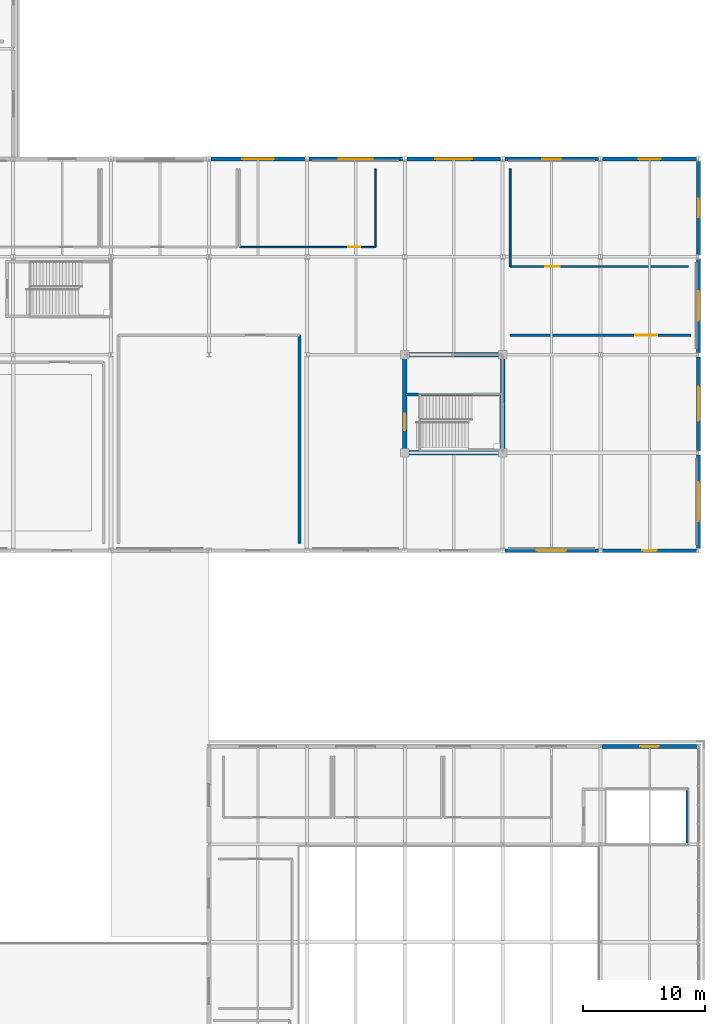
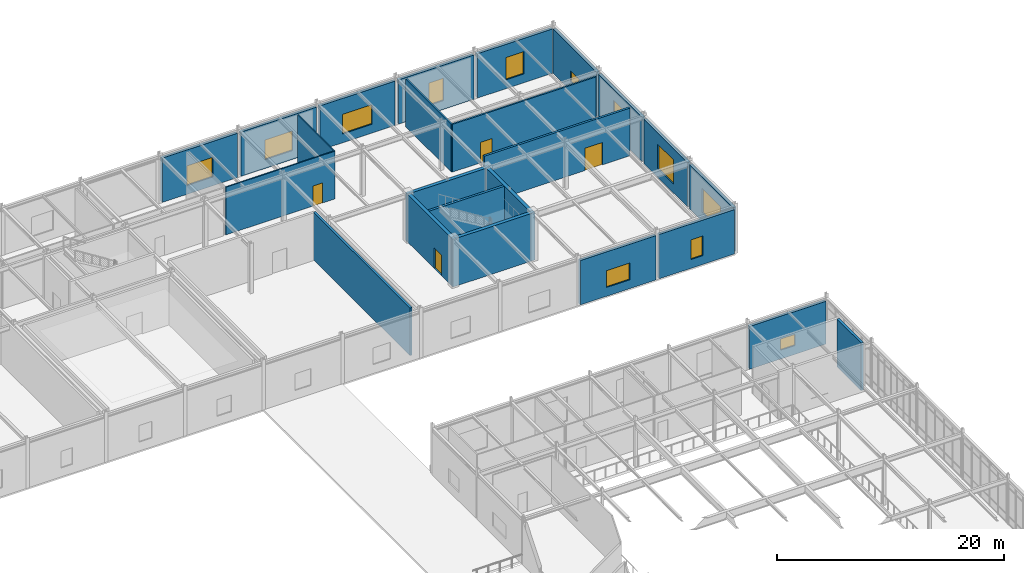
# One storey, part 95 of 108: 24 walls, 12 windows, 4 doors, 16 openings.
"""IFC4 building model written with IfcOpenShell, lengths in metres."""

import ifcopenshell
import ifcopenshell.guid

model = None  # the IFC model being written
_history = None  # IfcOwnerHistory: only IFC2X3 demands one
_inside = {}  # id of a spatial element -> (the spatial element, [elements in it])
_under = {}  # id of a project, library or spatial element -> (it, [spatial elements below it])
_declared = {}  # id of a project -> (the project, [libraries it declares])
_typed = {}  # id of a type object -> (the type object, [elements of that type])
_made_of = {}  # id of a material, layer set ... -> (it, [elements and type objects made of it])


def new_model(schema):
    """Start an empty IFC model of exactly this schema.

    Asked for "IFC4X3", IfcOpenShell would pick the latest addendum, in which some entities
    have other attributes; the version numbers below select the first issue.
    IFC2X3 requires an IfcOwnerHistory on every rooted entity: one is made here for all.
    """
    global model, _history
    if schema == "IFC4X3":
        model = ifcopenshell.file(schema_version=(4, 3, 0, 0))
    else:
        model = ifcopenshell.file(schema=schema)
    _inside.clear()
    _under.clear()
    _declared.clear()
    _typed.clear()
    _made_of.clear()
    _history = None
    if model.schema == "IFC2X3":
        org = make("IfcOrganization", Name="unknown")
        user = make(
            "IfcPersonAndOrganization",
            ThePerson=make("IfcPerson", FamilyName="unknown"),
            TheOrganization=org,
        )
        app = make(
            "IfcApplication",
            ApplicationDeveloper=org,
            Version="unknown",
            ApplicationFullName="unknown",
            ApplicationIdentifier="unknown",
        )
        _history = make(
            "IfcOwnerHistory",
            OwningUser=user,
            OwningApplication=app,
            ChangeAction="ADDED",
            CreationDate=0,
        )
    return model


def make(cls, **values):
    """One entity of the class cls with the attributes given. An attribute that is None is left unset."""
    return model.create_entity(
        cls, **{name: value for name, value in values.items() if value is not None}
    )


def rooted(cls, **values):
    """An entity with a GlobalId (a new one), such as an element, a storey or a relation."""
    return make(cls, GlobalId=ifcopenshell.guid.new(), OwnerHistory=_history, **values)


def si_unit(unit_type, name, prefix=None):
    """IfcSIUnit, for example si_unit("LENGTHUNIT", "METRE", prefix="MILLI")."""
    return make("IfcSIUnit", UnitType=unit_type, Prefix=prefix, Name=name)


def assignment(units):
    """IfcUnitAssignment: the units of a project."""
    return None if units is None else make("IfcUnitAssignment", Units=units)


def point(xyz):
    """IfcCartesianPoint."""
    return None if xyz is None else make("IfcCartesianPoint", Coordinates=xyz)


def direction(xyz):
    """IfcDirection."""
    return None if xyz is None else make("IfcDirection", DirectionRatios=xyz)


def frame(location, z_axis=None, x_axis=None):
    """IfcAxis2Placement3D, a coordinate frame: its origin and axes. An axis left out is left unset."""
    return make(
        "IfcAxis2Placement3D",
        Location=point(location),
        Axis=direction(z_axis),
        RefDirection=direction(x_axis),
    )


def frame_2d(location, x_axis=None):
    """IfcAxis2Placement2D, a coordinate frame in the plane: its origin and x axis."""
    return make(
        "IfcAxis2Placement2D", Location=point(location), RefDirection=direction(x_axis)
    )


def origin():
    """The frame at (0, 0, 0) with its axes left unset."""
    return frame((0.0, 0.0, 0.0))


def place(relative_to, where):
    """IfcLocalPlacement: puts the frame where relative to a parent placement (None: the world)."""
    return make(
        "IfcLocalPlacement", PlacementRelTo=relative_to, RelativePlacement=where
    )


def context(
    kind, dimensions, precision=None, world=None, true_north=None, identifier=None
):
    """IfcGeometricRepresentationContext, for example the 3D "Model" context."""
    return make(
        "IfcGeometricRepresentationContext",
        ContextIdentifier=identifier,
        ContextType=kind,
        CoordinateSpaceDimension=dimensions,
        Precision=precision,
        WorldCoordinateSystem=world,
        TrueNorth=true_north,
    )


def subcontext(parent, identifier, kind, view, scale=None):
    """IfcGeometricRepresentationSubContext, for example "Body" below "Model"."""
    return make(
        "IfcGeometricRepresentationSubContext",
        ContextIdentifier=identifier,
        ContextType=kind,
        ParentContext=parent,
        TargetScale=scale,
        TargetView=view,
    )


def project(units=None, contexts=None):
    """IfcProject with its units and contexts."""
    return rooted(
        "IfcProject",
        Name="project",
        RepresentationContexts=contexts,
        UnitsInContext=assignment(units),
    )


def spatial(cls, under=None, at=None, **own):
    """A site, building, storey or space (cls), placed at a placement, below another one or the project."""
    s = rooted(cls, ObjectPlacement=at, **own)
    if under is not None:
        _under.setdefault(under.id(), (under, []))[1].append(s)
    return s


def profile(cls, at=None, kind="AREA", **sizes):
    """A parametric profile (cls). Its sizes go by their IFC names, for example OverallWidth=200.0."""
    return make(cls, ProfileType=kind, Position=at, **sizes)


def rectangle(**sizes):
    """IfcRectangleProfileDef."""
    return profile("IfcRectangleProfileDef", **sizes)


def extrude(swept, where, along, depth):
    """IfcExtrudedAreaSolid: the profile swept, set in the frame where, extruded along a direction by depth."""
    return make(
        "IfcExtrudedAreaSolid",
        SweptArea=swept,
        Position=where,
        ExtrudedDirection=direction(along),
        Depth=depth,
    )


def shape(context_of_items, identifier, shape_type, items):
    """IfcShapeRepresentation: the items that make up one representation, for example the "Body"."""
    return make(
        "IfcShapeRepresentation",
        ContextOfItems=context_of_items,
        RepresentationIdentifier=identifier,
        RepresentationType=shape_type,
        Items=items,
    )


def material(Name=None, Category=None):
    """IfcMaterial."""
    return make("IfcMaterial", Name=Name, Category=Category)


def layer(
    of_material, thickness, ventilated=None, Name=None, Category=None, Priority=None
):
    """IfcMaterialLayer: one layer of a wall or slab, of a material (None: an air gap)."""
    return make(
        "IfcMaterialLayer",
        Material=of_material,
        LayerThickness=thickness,
        IsVentilated=ventilated,
        Name=Name,
        Category=Category,
        Priority=Priority,
    )


def layer_set(layers, Name=None):
    """IfcMaterialLayerSet."""
    return make("IfcMaterialLayerSet", MaterialLayers=layers, LayerSetName=Name)


def made_of(thing, what):
    """Note that an element or type object is made of a material, layer set ...; save() writes the relation."""
    if what is not None:
        _made_of.setdefault(what.id(), (what, []))[1].append(thing)
    return thing


def type_object(cls, material=None, **own):
    """A type object (cls), such as IfcWallType, which elements share."""
    return made_of(rooted(cls, **own), material)


def element(
    cls,
    number,
    at=None,
    inside=None,
    cuts=None,
    type_object=None,
    material=None,
    context=None,
    identifier="Body",
    shape_type=None,
    held_by="IfcProductDefinitionShape",
    body=None,
    shapes=None,
    **own,
):
    """One element of the class cls, such as IfcWall. Its Tag is "e" and its number.

    at: its placement. inside: the storey or other place that contains it. cuts: it is an
    opening in that element (IfcRelVoidsElement). A single representation is given by context,
    identifier, shape_type and body (its items); several are given by shapes. held_by: the class
    of the entity that holds the representations. save() writes the other relations.
    """
    e = rooted(cls, Tag="e%d" % number, ObjectPlacement=at, **own)
    if body is not None:
        shapes = [shape(context, identifier, shape_type, body)]
    if shapes is not None:
        e.Representation = make(held_by, Representations=shapes)
    if inside is not None:
        _inside.setdefault(inside.id(), (inside, []))[1].append(e)
    if cuts is not None:
        rooted(
            "IfcRelVoidsElement", RelatingBuildingElement=cuts, RelatedOpeningElement=e
        )
    if type_object is not None:
        _typed.setdefault(type_object.id(), (type_object, []))[1].append(e)
    return made_of(e, material)


def fill(opening, filler):
    """IfcRelFillsElement: the door or window that sits in an opening."""
    return rooted(
        "IfcRelFillsElement",
        RelatingOpeningElement=opening,
        RelatedBuildingElement=filler,
    )


def aggregate(whole, parts):
    """IfcRelAggregates: a whole, such as a stair, and the parts it consists of."""
    return rooted("IfcRelAggregates", RelatingObject=whole, RelatedObjects=parts)


def save(model, path):
    """Write the relations noted so far, then the file.

    IfcRelAggregates (storeys below a building ...), IfcRelContainedInSpatialStructure (elements
    in a storey), IfcRelDefinesByType, IfcRelAssociatesMaterial and IfcRelDeclares: one each for
    every whole, place, type object, material and project.
    """
    for whole, parts in _under.values():
        aggregate(whole, parts)
    for where, things in _inside.values():
        rooted(
            "IfcRelContainedInSpatialStructure",
            RelatedElements=things,
            RelatingStructure=where,
        )
    for kind, things in _typed.values():
        rooted("IfcRelDefinesByType", RelatedObjects=things, RelatingType=kind)
    for what, things in _made_of.values():
        rooted("IfcRelAssociatesMaterial", RelatedObjects=things, RelatingMaterial=what)
    for by, libraries in _declared.values():
        rooted("IfcRelDeclares", RelatingContext=by, RelatedDefinitions=libraries)
    model.write(path)


model = new_model("IFC4")

# Units and contexts
model_context = context("Model", 3, precision=1e-05, world=origin(), true_north=direction((0.0, 1.0)))
body_context = subcontext(model_context, "Body", "Model", "MODEL_VIEW")
ifc_project = project(units=[si_unit("LENGTHUNIT", "METRE"), si_unit("AREAUNIT", "SQUARE_METRE"), si_unit("VOLUMEUNIT", "CUBIC_METRE"), si_unit("PLANEANGLEUNIT", "RADIAN"), si_unit("MASSUNIT", "GRAM", prefix="KILO")], contexts=[model_context])

# Site, building, storey
site_placement = place(None, origin())
site = spatial("IfcSite", under=ifc_project, at=site_placement, CompositionType="ELEMENT")
building_placement = place(site_placement, origin())
building = spatial("IfcBuilding", under=site, at=building_placement, Name="Zhaolan Boulevard Law Courts", CompositionType="ELEMENT")
storey_placement = place(building_placement, frame((0.0, 0.0, 10.800048828125)))
storey = spatial("IfcBuildingStorey", under=building, at=storey_placement, Name="L02", CompositionType="ELEMENT", Elevation=10.800048828125)

# Walls
ifc_material_1 = material(Name="Concrete C50", Category="concrete")
ifc_layer_1 = layer(ifc_material_1, 0.35009765625)
ifc_layer_set_1 = layer_set([ifc_layer_1])
wall_type_1 = type_object("IfcWallType", Name="CORE SHEAR WALL 350", PredefinedType="SHEAR", material=ifc_layer_set_1)
for number, where, z_axis, x_axis, name in (
    (1, (139.824951171875, 70.0, 0.0), (0.0, 0.0, 1.0), (1.0, 0.0, 0.0), "Core Shear Wall CW-T2-L02S"),
    (2, (148.175048828125, 78.0, 0.0), (0.0, 0.0, 1.0), (-1.0, 0.0, 0.0), "Core Shear Wall CW-T2-L02N"),
):
    element("IfcWall", number, at=place(storey_placement, frame(where, z_axis=z_axis, x_axis=x_axis)), inside=storey, type_object=wall_type_1, Name=name, PredefinedType="SHEAR", context=body_context, shape_type="SweptSolid", body=[
        extrude(rectangle(XDim=8.35009765625, YDim=0.35009765625, at=frame_2d((4.175048828125, 0.0))), origin(), (0.0, 0.0, 1.0), 5.119873046875),
    ])

# Wall, opening, door
wall_1_placement = place(storey_placement, frame((140.0, 70.175048828125, 0.0), z_axis=(0.0, 0.0, 1.0), x_axis=(0.0, 1.0, 0.0)))
wall_1 = element("IfcWall", 3, at=wall_1_placement, inside=storey, type_object=wall_type_1, Name="Core Shear Wall CW-T2-L02W", PredefinedType="SHEAR", context=body_context, shape_type="SweptSolid", body=[
    extrude(rectangle(XDim=7.64990234375, YDim=0.35009765625, at=frame_2d((3.824951171875, 0.0))), origin(), (0.0, 0.0, 1.0), 5.119873046875),
])
opening_1_placement = place(wall_1_placement, frame((1.64990234375, 0.0, 0.0)))
opening_1 = element("IfcOpeningElement", 4, at=opening_1_placement, cuts=wall_1, Name="Opening SD-L02-36", PredefinedType="OPENING", context=body_context, shape_type="SweptSolid", body=[
    extrude(rectangle(XDim=1.35009765625, YDim=2.199951171875, at=frame_2d((0.675048828125, 1.10009765625))), frame((0.0, 0.18505859375, 0.0), z_axis=(0.0, -1.0, 0.0), x_axis=(1.0, 0.0, 0.0)), (0.0, 0.0, 1.0), 0.3701171875),
])
ifc_material_2 = material(Name="Fire-rated steel acoustic door", Category="steel")
door_type_1 = type_object("IfcDoorType", Name="STAIR FIRE 1350X2200 R", OperationType="SINGLE_SWING_RIGHT", PredefinedType="DOOR", material=ifc_material_2)
door_1_placement = place(opening_1_placement, origin())
door_1 = element("IfcDoor", 5, at=door_1_placement, inside=storey, type_object=door_type_1, Name="Smoke-Proof Stairwell Fire Door SD-L02-36", OperationType="SINGLE_SWING_RIGHT", OverallHeight=2.199951171875, OverallWidth=1.35009765625, PredefinedType="DOOR", context=body_context, shape_type="SweptSolid", body=[
    extrude(rectangle(XDim=1.35009765625, YDim=2.199951171875, at=frame_2d((0.675048828125, 1.10009765625))), frame((0.0, 0.02490234375, 0.0), z_axis=(0.0, -1.0, 0.0), x_axis=(1.0, 0.0, 0.0)), (0.0, 0.0, 1.0), 0.050048828125),
])
fill(opening_1, door_1)

# Wall
wall_2_placement = place(storey_placement, frame((148.0, 70.175048828125, 0.0), z_axis=(0.0, 0.0, 1.0), x_axis=(0.0, 1.0, 0.0)))
element("IfcWall", 6, at=wall_2_placement, inside=storey, type_object=wall_type_1, Name="Core Shear Wall CW-T2-L02E", PredefinedType="SHEAR", context=body_context, shape_type="SweptSolid", body=[
    extrude(rectangle(XDim=7.64990234375, YDim=0.35009765625, at=frame_2d((3.824951171875, 0.0))), origin(), (0.0, 0.0, 1.0), 5.119873046875),
])

# Wall, opening, window
ifc_material_3 = material(Name="Concrete C40", Category="concrete")
ifc_layer_2 = layer(ifc_material_3, 0.300048828125)
ifc_layer_set_2 = layer_set([ifc_layer_2])
wall_type_2 = type_object("IfcWallType", Name="EXT WALL CONCRETE300", PredefinedType="SOLIDWALL", material=ifc_layer_set_2)
wall_3_placement = place(storey_placement, frame((163.87890625, 46.0, 0.0), z_axis=(0.0, 0.0, 1.0), x_axis=(-1.0, 0.0, 0.0)))
wall_3 = element("IfcWall", 7, at=wall_3_placement, inside=storey, type_object=wall_type_2, Name="Exterior Wall EW-L02-167", PredefinedType="SOLIDWALL", context=body_context, shape_type="SweptSolid", body=[
    extrude(rectangle(XDim=7.7578125, YDim=0.300048828125, at=frame_2d((3.87890625, 0.0))), origin(), (0.0, 0.0, 1.0), 4.60302734375),
])
opening_2_placement = place(wall_3_placement, frame((3.12890625, 0.0, 0.949951171875)))
opening_2 = element("IfcOpeningElement", 8, at=opening_2_placement, cuts=wall_3, Name="Opening WIN-L02-028", PredefinedType="OPENING", context=body_context, shape_type="SweptSolid", body=[
    extrude(rectangle(XDim=1.5, YDim=1.199951171875, at=frame_2d((0.75, 0.60009765625))), frame((0.0, 0.159912109375, 0.0), z_axis=(0.0, -1.0, 0.0), x_axis=(1.0, 0.0, 0.0)), (0.0, 0.0, 1.0), 0.320068359375),
])
ifc_material_4 = material(Name="Thermally broken aluminium and low-E glazing", Category="aluminium")
window_type_1 = type_object("IfcWindowType", Name="WINDOW 1500X1200", PartitioningType="SINGLE_PANEL", PredefinedType="WINDOW", material=ifc_material_4)
window_1_placement = place(opening_2_placement, origin())
window_1 = element("IfcWindow", 9, at=window_1_placement, inside=storey, type_object=window_type_1, Name="Exterior Window WIN-L02-028", OverallHeight=1.199951171875, OverallWidth=1.5, PartitioningType="SINGLE_PANEL", PredefinedType="WINDOW", context=body_context, shape_type="SweptSolid", body=[
    extrude(rectangle(XDim=1.5, YDim=1.199951171875, at=frame_2d((0.75, 0.60009765625))), frame((0.0, 0.030029296875, 0.0), z_axis=(0.0, -1.0, 0.0), x_axis=(1.0, 0.0, 0.0)), (0.0, 0.0, 1.0), 0.06005859375),
])
fill(opening_2, window_1)

wall_4_placement = place(storey_placement, frame((148.1708984375, 62.0, 0.0), z_axis=(0.0, 0.0, 1.0), x_axis=(1.0, 0.0, 0.0)))
wall_4 = element("IfcWall", 10, at=wall_4_placement, inside=storey, type_object=wall_type_2, Name="Exterior Wall EW-L02-248", PredefinedType="SOLIDWALL", context=body_context, shape_type="SweptSolid", body=[
    extrude(rectangle(XDim=7.658203125, YDim=0.300048828125, at=frame_2d((3.8291015625, 0.0))), origin(), (0.0, 0.0, 1.0), 4.762939453125),
])
opening_3_placement = place(wall_4_placement, frame((2.62890625, 0.0, 0.949951171875)))
opening_3 = element("IfcOpeningElement", 11, at=opening_3_placement, cuts=wall_4, Name="Opening WIN-L02-105", PredefinedType="OPENING", context=body_context, shape_type="SweptSolid", body=[
    extrude(rectangle(XDim=2.39990234375, YDim=1.800048828125, at=frame_2d((1.199951171875, 0.89990234375))), frame((0.0, 0.159912109375, 0.0), z_axis=(0.0, -1.0, 0.0), x_axis=(1.0, 0.0, 0.0)), (0.0, 0.0, 1.0), 0.320068359375),
])
ifc_material_5 = material(Name="Thermally broken aluminium and low-E glazing", Category="aluminium")
window_type_2 = type_object("IfcWindowType", Name="WINDOW 2400X1800", PartitioningType="DOUBLE_PANEL_VERTICAL", PredefinedType="WINDOW", material=ifc_material_5)
window_2_placement = place(opening_3_placement, origin())
window_2 = element("IfcWindow", 12, at=window_2_placement, inside=storey, type_object=window_type_2, Name="Exterior Window WIN-L02-105", OverallHeight=1.800048828125, OverallWidth=2.39990234375, PartitioningType="SINGLE_PANEL", PredefinedType="WINDOW", context=body_context, shape_type="SweptSolid", body=[
    extrude(rectangle(XDim=2.39990234375, YDim=1.800048828125, at=frame_2d((1.199951171875, 0.89990234375))), frame((0.0, 0.030029296875, 0.0), z_axis=(0.0, -1.0, 0.0), x_axis=(1.0, 0.0, 0.0)), (0.0, 0.0, 1.0), 0.06005859375),
])
fill(opening_3, window_2)

wall_5_placement = place(storey_placement, frame((156.1708984375, 62.0, 0.0), z_axis=(0.0, 0.0, 1.0), x_axis=(1.0, 0.0, 0.0)))
wall_5 = element("IfcWall", 13, at=wall_5_placement, inside=storey, type_object=wall_type_2, Name="Exterior Wall EW-L02-249", PredefinedType="SOLIDWALL", context=body_context, shape_type="SweptSolid", body=[
    extrude(rectangle(XDim=7.658203125, YDim=0.300048828125, at=frame_2d((3.8291015625, 0.0))), origin(), (0.0, 0.0, 1.0), 4.762939453125),
])
opening_4_placement = place(wall_5_placement, frame((3.22900390625, 0.0, 0.949951171875)))
opening_4 = element("IfcOpeningElement", 14, at=opening_4_placement, cuts=wall_5, Name="Opening WIN-L02-106", PredefinedType="OPENING", context=body_context, shape_type="SweptSolid", body=[
    extrude(rectangle(XDim=1.199951171875, YDim=2.10009765625, at=frame_2d((0.60009765625, 1.050048828125))), frame((0.0, 0.159912109375, 0.0), z_axis=(0.0, -1.0, 0.0), x_axis=(1.0, 0.0, 0.0)), (0.0, 0.0, 1.0), 0.320068359375),
])
ifc_material_6 = material(Name="Thermally broken aluminium and low-E glazing", Category="aluminium")
window_type_3 = type_object("IfcWindowType", Name="WINDOW 1200X2100", PartitioningType="SINGLE_PANEL", PredefinedType="WINDOW", material=ifc_material_6)
window_3_placement = place(opening_4_placement, origin())
window_3 = element("IfcWindow", 15, at=window_3_placement, inside=storey, type_object=window_type_3, Name="Exterior Window WIN-L02-106", OverallHeight=2.10009765625, OverallWidth=1.199951171875, PartitioningType="SINGLE_PANEL", PredefinedType="WINDOW", context=body_context, shape_type="SweptSolid", body=[
    extrude(rectangle(XDim=1.199951171875, YDim=2.10009765625, at=frame_2d((0.60009765625, 1.050048828125))), frame((0.0, 0.030029296875, 0.0), z_axis=(0.0, -1.0, 0.0), x_axis=(1.0, 0.0, 0.0)), (0.0, 0.0, 1.0), 0.06005859375),
])
fill(opening_4, window_3)

wall_6_placement = place(storey_placement, frame((131.8291015625, 94.0, 0.0), z_axis=(0.0, 0.0, 1.0), x_axis=(-1.0, 0.0, 0.0)))
wall_6 = element("IfcWall", 16, at=wall_6_placement, inside=storey, type_object=wall_type_2, Name="Exterior Wall EW-L02-257", PredefinedType="SOLIDWALL", context=body_context, shape_type="SweptSolid", body=[
    extrude(rectangle(XDim=7.658203125, YDim=0.300048828125, at=frame_2d((3.8291015625, 0.0))), origin(), (0.0, 0.0, 1.0), 4.762939453125),
])
opening_5_placement = place(wall_6_placement, frame((2.529052734375, 0.0, 0.949951171875)))
opening_5 = element("IfcOpeningElement", 17, at=opening_5_placement, cuts=wall_6, Name="Opening WIN-L02-114", PredefinedType="OPENING", context=body_context, shape_type="SweptSolid", body=[
    extrude(rectangle(XDim=2.60009765625, YDim=2.10009765625, at=frame_2d((1.300048828125, 1.050048828125))), frame((0.0, 0.159912109375, 0.0), z_axis=(0.0, -1.0, 0.0), x_axis=(1.0, 0.0, 0.0)), (0.0, 0.0, 1.0), 0.320068359375),
])
ifc_material_7 = material(Name="Thermally broken aluminium and low-E glazing", Category="aluminium")
window_type_4 = type_object("IfcWindowType", Name="WINDOW 2600X2100", PartitioningType="DOUBLE_PANEL_VERTICAL", PredefinedType="WINDOW", material=ifc_material_7)
window_4_placement = place(opening_5_placement, origin())
window_4 = element("IfcWindow", 18, at=window_4_placement, inside=storey, type_object=window_type_4, Name="Exterior Window WIN-L02-114", OverallHeight=2.10009765625, OverallWidth=2.60009765625, PartitioningType="SINGLE_PANEL", PredefinedType="WINDOW", context=body_context, shape_type="SweptSolid", body=[
    extrude(rectangle(XDim=2.60009765625, YDim=2.10009765625, at=frame_2d((1.300048828125, 1.050048828125))), frame((0.0, 0.030029296875, 0.0), z_axis=(0.0, -1.0, 0.0), x_axis=(1.0, 0.0, 0.0)), (0.0, 0.0, 1.0), 0.06005859375),
])
fill(opening_5, window_4)

wall_7_placement = place(storey_placement, frame((139.8291015625, 94.0, 0.0), z_axis=(0.0, 0.0, 1.0), x_axis=(-1.0, 0.0, 0.0)))
wall_7 = element("IfcWall", 19, at=wall_7_placement, inside=storey, type_object=wall_type_2, Name="Exterior Wall EW-L02-258", PredefinedType="SOLIDWALL", context=body_context, shape_type="SweptSolid", body=[
    extrude(rectangle(XDim=7.658203125, YDim=0.300048828125, at=frame_2d((3.8291015625, 0.0))), origin(), (0.0, 0.0, 1.0), 4.762939453125),
])
opening_6_placement = place(wall_7_placement, frame((2.428955078125, 0.0, 0.949951171875)))
opening_6 = element("IfcOpeningElement", 20, at=opening_6_placement, cuts=wall_7, Name="Opening WIN-L02-115", PredefinedType="OPENING", context=body_context, shape_type="SweptSolid", body=[
    extrude(rectangle(XDim=2.800048828125, YDim=2.10009765625, at=frame_2d((1.39990234375, 1.050048828125))), frame((0.0, 0.159912109375, 0.0), z_axis=(0.0, -1.0, 0.0), x_axis=(1.0, 0.0, 0.0)), (0.0, 0.0, 1.0), 0.320068359375),
])
ifc_material_8 = material(Name="Thermally broken aluminium and low-E glazing", Category="aluminium")
window_type_5 = type_object("IfcWindowType", Name="WINDOW 2800X2100", PartitioningType="DOUBLE_PANEL_VERTICAL", PredefinedType="WINDOW", material=ifc_material_8)
window_5_placement = place(opening_6_placement, origin())
window_5 = element("IfcWindow", 21, at=window_5_placement, inside=storey, type_object=window_type_5, Name="Exterior Window WIN-L02-115", OverallHeight=2.10009765625, OverallWidth=2.800048828125, PartitioningType="SINGLE_PANEL", PredefinedType="WINDOW", context=body_context, shape_type="SweptSolid", body=[
    extrude(rectangle(XDim=2.800048828125, YDim=2.10009765625, at=frame_2d((1.39990234375, 1.050048828125))), frame((0.0, 0.030029296875, 0.0), z_axis=(0.0, -1.0, 0.0), x_axis=(1.0, 0.0, 0.0)), (0.0, 0.0, 1.0), 0.06005859375),
])
fill(opening_6, window_5)

wall_8_placement = place(storey_placement, frame((147.8291015625, 94.0, 0.0), z_axis=(0.0, 0.0, 1.0), x_axis=(-1.0, 0.0, 0.0)))
wall_8 = element("IfcWall", 22, at=wall_8_placement, inside=storey, type_object=wall_type_2, Name="Exterior Wall EW-L02-259", PredefinedType="SOLIDWALL", context=body_context, shape_type="SweptSolid", body=[
    extrude(rectangle(XDim=7.658203125, YDim=0.300048828125, at=frame_2d((3.8291015625, 0.0))), origin(), (0.0, 0.0, 1.0), 4.762939453125),
])
opening_7_placement = place(wall_8_placement, frame((2.3291015625, 0.0, 0.949951171875)))
opening_7 = element("IfcOpeningElement", 23, at=opening_7_placement, cuts=wall_8, Name="Opening WIN-L02-116", PredefinedType="OPENING", context=body_context, shape_type="SweptSolid", body=[
    extrude(rectangle(XDim=3.0, YDim=2.10009765625, at=frame_2d((1.5, 1.050048828125))), frame((0.0, 0.159912109375, 0.0), z_axis=(0.0, -1.0, 0.0), x_axis=(1.0, 0.0, 0.0)), (0.0, 0.0, 1.0), 0.320068359375),
])
ifc_material_9 = material(Name="Thermally broken aluminium and low-E glazing", Category="aluminium")
window_type_6 = type_object("IfcWindowType", Name="WINDOW 3000X2100", PartitioningType="DOUBLE_PANEL_VERTICAL", PredefinedType="WINDOW", material=ifc_material_9)
window_6_placement = place(opening_7_placement, origin())
window_6 = element("IfcWindow", 24, at=window_6_placement, inside=storey, type_object=window_type_6, Name="Exterior Window WIN-L02-116", OverallHeight=2.10009765625, OverallWidth=3.0, PartitioningType="SINGLE_PANEL", PredefinedType="WINDOW", context=body_context, shape_type="SweptSolid", body=[
    extrude(rectangle(XDim=3.0, YDim=2.10009765625, at=frame_2d((1.5, 1.050048828125))), frame((0.0, 0.030029296875, 0.0), z_axis=(0.0, -1.0, 0.0), x_axis=(1.0, 0.0, 0.0)), (0.0, 0.0, 1.0), 0.06005859375),
])
fill(opening_7, window_6)

wall_9_placement = place(storey_placement, frame((155.8291015625, 94.0, 0.0), z_axis=(0.0, 0.0, 1.0), x_axis=(-1.0, 0.0, 0.0)))
wall_9 = element("IfcWall", 25, at=wall_9_placement, inside=storey, type_object=wall_type_2, Name="Exterior Wall EW-L02-260", PredefinedType="SOLIDWALL", context=body_context, shape_type="SweptSolid", body=[
    extrude(rectangle(XDim=7.658203125, YDim=0.300048828125, at=frame_2d((3.8291015625, 0.0))), origin(), (0.0, 0.0, 1.0), 4.762939453125),
])
opening_8_placement = place(wall_9_placement, frame((3.0791015625, 0.0, 0.949951171875)))
opening_8 = element("IfcOpeningElement", 26, at=opening_8_placement, cuts=wall_9, Name="Opening WIN-L02-117", PredefinedType="OPENING", context=body_context, shape_type="SweptSolid", body=[
    extrude(rectangle(XDim=1.5, YDim=2.39990234375, at=frame_2d((0.75, 1.199951171875))), frame((0.0, 0.159912109375, 0.0), z_axis=(0.0, -1.0, 0.0), x_axis=(1.0, 0.0, 0.0)), (0.0, 0.0, 1.0), 0.320068359375),
])
ifc_material_10 = material(Name="Thermally broken aluminium and low-E glazing", Category="aluminium")
window_type_7 = type_object("IfcWindowType", Name="WINDOW 1500X2400", PartitioningType="SINGLE_PANEL", PredefinedType="WINDOW", material=ifc_material_10)
window_7_placement = place(opening_8_placement, origin())
window_7 = element("IfcWindow", 27, at=window_7_placement, inside=storey, type_object=window_type_7, Name="Exterior Window WIN-L02-117", OverallHeight=2.39990234375, OverallWidth=1.5, PartitioningType="SINGLE_PANEL", PredefinedType="WINDOW", context=body_context, shape_type="SweptSolid", body=[
    extrude(rectangle(XDim=1.5, YDim=2.39990234375, at=frame_2d((0.75, 1.199951171875))), frame((0.0, 0.030029296875, 0.0), z_axis=(0.0, -1.0, 0.0), x_axis=(1.0, 0.0, 0.0)), (0.0, 0.0, 1.0), 0.06005859375),
])
fill(opening_8, window_7)

wall_10_placement = place(storey_placement, frame((163.8291015625, 94.0, 0.0), z_axis=(0.0, 0.0, 1.0), x_axis=(-1.0, 0.0, 0.0)))
wall_10 = element("IfcWall", 28, at=wall_10_placement, inside=storey, type_object=wall_type_2, Name="Exterior Wall EW-L02-261", PredefinedType="SOLIDWALL", context=body_context, shape_type="SweptSolid", body=[
    extrude(rectangle(XDim=7.658203125, YDim=0.300048828125, at=frame_2d((3.8291015625, 0.0))), origin(), (0.0, 0.0, 1.0), 4.762939453125),
])
opening_9_placement = place(wall_10_placement, frame((2.928955078125, 0.0, 0.949951171875)))
opening_9 = element("IfcOpeningElement", 29, at=opening_9_placement, cuts=wall_10, Name="Opening WIN-L02-118", PredefinedType="OPENING", context=body_context, shape_type="SweptSolid", body=[
    extrude(rectangle(XDim=1.800048828125, YDim=2.39990234375, at=frame_2d((0.89990234375, 1.199951171875))), frame((0.0, 0.159912109375, 0.0), z_axis=(0.0, -1.0, 0.0), x_axis=(1.0, 0.0, 0.0)), (0.0, 0.0, 1.0), 0.320068359375),
])
ifc_material_11 = material(Name="Thermally broken aluminium and low-E glazing", Category="aluminium")
window_type_8 = type_object("IfcWindowType", Name="WINDOW 1800X2400", PartitioningType="DOUBLE_PANEL_VERTICAL", PredefinedType="WINDOW", material=ifc_material_11)
window_8_placement = place(opening_9_placement, origin())
window_8 = element("IfcWindow", 30, at=window_8_placement, inside=storey, type_object=window_type_8, Name="Exterior Window WIN-L02-118", OverallHeight=2.39990234375, OverallWidth=1.800048828125, PartitioningType="SINGLE_PANEL", PredefinedType="WINDOW", context=body_context, shape_type="SweptSolid", body=[
    extrude(rectangle(XDim=1.800048828125, YDim=2.39990234375, at=frame_2d((0.89990234375, 1.199951171875))), frame((0.0, 0.030029296875, 0.0), z_axis=(0.0, -1.0, 0.0), x_axis=(1.0, 0.0, 0.0)), (0.0, 0.0, 1.0), 0.06005859375),
])
fill(opening_9, window_8)

wall_11_placement = place(storey_placement, frame((164.0, 62.1708984375, 0.0), z_axis=(0.0, 0.0, 1.0), x_axis=(0.0, 1.0, 0.0)))
wall_11 = element("IfcWall", 31, at=wall_11_placement, inside=storey, type_object=wall_type_2, Name="Exterior Wall EW-L02-266", PredefinedType="SOLIDWALL", context=body_context, shape_type="SweptSolid", body=[
    extrude(rectangle(XDim=7.658203125, YDim=0.300048828125, at=frame_2d((3.8291015625, 0.0))), origin(), (0.0, 0.0, 1.0), 4.762939453125),
])
opening_10_placement = place(wall_11_placement, frame((2.22900390625, 0.0, 0.949951171875)))
opening_10 = element("IfcOpeningElement", 32, at=opening_10_placement, cuts=wall_11, Name="Opening WIN-L02-123", PredefinedType="OPENING", context=body_context, shape_type="SweptSolid", body=[
    extrude(rectangle(XDim=3.199951171875, YDim=2.60009765625, at=frame_2d((1.60009765625, 1.300048828125))), frame((0.0, 0.159912109375, 0.0), z_axis=(0.0, -1.0, 0.0), x_axis=(1.0, 0.0, 0.0)), (0.0, 0.0, 1.0), 0.320068359375),
])
ifc_material_12 = material(Name="Thermally broken aluminium and low-E glazing", Category="aluminium")
window_type_9 = type_object("IfcWindowType", Name="WINDOW 3200X2600", PartitioningType="DOUBLE_PANEL_VERTICAL", PredefinedType="WINDOW", material=ifc_material_12)
window_9_placement = place(opening_10_placement, origin())
window_9 = element("IfcWindow", 33, at=window_9_placement, inside=storey, type_object=window_type_9, Name="Exterior Window WIN-L02-123", OverallHeight=2.60009765625, OverallWidth=3.199951171875, PartitioningType="SINGLE_PANEL", PredefinedType="WINDOW", context=body_context, shape_type="SweptSolid", body=[
    extrude(rectangle(XDim=3.199951171875, YDim=2.60009765625, at=frame_2d((1.60009765625, 1.300048828125))), frame((0.0, 0.030029296875, 0.0), z_axis=(0.0, -1.0, 0.0), x_axis=(1.0, 0.0, 0.0)), (0.0, 0.0, 1.0), 0.06005859375),
])
fill(opening_10, window_9)

wall_12_placement = place(storey_placement, frame((164.0, 70.1708984375, 0.0), z_axis=(0.0, 0.0, 1.0), x_axis=(0.0, 1.0, 0.0)))
wall_12 = element("IfcWall", 34, at=wall_12_placement, inside=storey, type_object=wall_type_2, Name="Exterior Wall EW-L02-267", PredefinedType="SOLIDWALL", context=body_context, shape_type="SweptSolid", body=[
    extrude(rectangle(XDim=7.658203125, YDim=0.300048828125, at=frame_2d((3.8291015625, 0.0))), origin(), (0.0, 0.0, 1.0), 4.762939453125),
])
opening_11_placement = place(wall_12_placement, frame((2.428955078125, 0.0, 0.949951171875)))
opening_11 = element("IfcOpeningElement", 35, at=opening_11_placement, cuts=wall_12, Name="Opening WIN-L02-124", PredefinedType="OPENING", context=body_context, shape_type="SweptSolid", body=[
    extrude(rectangle(XDim=2.800048828125, YDim=2.60009765625, at=frame_2d((1.39990234375, 1.300048828125))), frame((0.0, 0.159912109375, 0.0), z_axis=(0.0, -1.0, 0.0), x_axis=(1.0, 0.0, 0.0)), (0.0, 0.0, 1.0), 0.320068359375),
])
ifc_material_13 = material(Name="Thermally broken aluminium and low-E glazing", Category="aluminium")
window_type_10 = type_object("IfcWindowType", Name="WINDOW 2800X2600", PartitioningType="DOUBLE_PANEL_VERTICAL", PredefinedType="WINDOW", material=ifc_material_13)
window_10_placement = place(opening_11_placement, origin())
window_10 = element("IfcWindow", 36, at=window_10_placement, inside=storey, type_object=window_type_10, Name="Exterior Window WIN-L02-124", OverallHeight=2.60009765625, OverallWidth=2.800048828125, PartitioningType="SINGLE_PANEL", PredefinedType="WINDOW", context=body_context, shape_type="SweptSolid", body=[
    extrude(rectangle(XDim=2.800048828125, YDim=2.60009765625, at=frame_2d((1.39990234375, 1.300048828125))), frame((0.0, 0.030029296875, 0.0), z_axis=(0.0, -1.0, 0.0), x_axis=(1.0, 0.0, 0.0)), (0.0, 0.0, 1.0), 0.06005859375),
])
fill(opening_11, window_10)

wall_13_placement = place(storey_placement, frame((164.0, 78.1708984375, 0.0), z_axis=(0.0, 0.0, 1.0), x_axis=(0.0, 1.0, 0.0)))
wall_13 = element("IfcWall", 37, at=wall_13_placement, inside=storey, type_object=wall_type_2, Name="Exterior Wall EW-L02-268", PredefinedType="SOLIDWALL", context=body_context, shape_type="SweptSolid", body=[
    extrude(rectangle(XDim=7.658203125, YDim=0.300048828125, at=frame_2d((3.8291015625, 0.0))), origin(), (0.0, 0.0, 1.0), 4.762939453125),
])
opening_12_placement = place(wall_13_placement, frame((2.62890625, 0.0, 0.949951171875)))
opening_12 = element("IfcOpeningElement", 38, at=opening_12_placement, cuts=wall_13, Name="Opening WIN-L02-125", PredefinedType="OPENING", context=body_context, shape_type="SweptSolid", body=[
    extrude(rectangle(XDim=2.39990234375, YDim=2.60009765625, at=frame_2d((1.199951171875, 1.300048828125))), frame((0.0, 0.159912109375, 0.0), z_axis=(0.0, -1.0, 0.0), x_axis=(1.0, 0.0, 0.0)), (0.0, 0.0, 1.0), 0.320068359375),
])
ifc_material_14 = material(Name="Thermally broken aluminium and low-E glazing", Category="aluminium")
window_type_11 = type_object("IfcWindowType", Name="WINDOW 2400X2600", PartitioningType="DOUBLE_PANEL_VERTICAL", PredefinedType="WINDOW", material=ifc_material_14)
window_11_placement = place(opening_12_placement, origin())
window_11 = element("IfcWindow", 39, at=window_11_placement, inside=storey, type_object=window_type_11, Name="Exterior Window WIN-L02-125", OverallHeight=2.60009765625, OverallWidth=2.39990234375, PartitioningType="SINGLE_PANEL", PredefinedType="WINDOW", context=body_context, shape_type="SweptSolid", body=[
    extrude(rectangle(XDim=2.39990234375, YDim=2.60009765625, at=frame_2d((1.199951171875, 1.300048828125))), frame((0.0, 0.030029296875, 0.0), z_axis=(0.0, -1.0, 0.0), x_axis=(1.0, 0.0, 0.0)), (0.0, 0.0, 1.0), 0.06005859375),
])
fill(opening_12, window_11)

wall_14_placement = place(storey_placement, frame((164.0, 86.1708984375, 0.0), z_axis=(0.0, 0.0, 1.0), x_axis=(0.0, 1.0, 0.0)))
wall_14 = element("IfcWall", 40, at=wall_14_placement, inside=storey, type_object=wall_type_2, Name="Exterior Wall EW-L02-269", PredefinedType="SOLIDWALL", context=body_context, shape_type="SweptSolid", body=[
    extrude(rectangle(XDim=7.658203125, YDim=0.300048828125, at=frame_2d((3.8291015625, 0.0))), origin(), (0.0, 0.0, 1.0), 4.762939453125),
])
opening_13_placement = place(wall_14_placement, frame((3.0791015625, 0.0, 0.949951171875)))
opening_13 = element("IfcOpeningElement", 41, at=opening_13_placement, cuts=wall_14, Name="Opening WIN-L02-126", PredefinedType="OPENING", context=body_context, shape_type="SweptSolid", body=[
    extrude(rectangle(XDim=1.5, YDim=1.199951171875, at=frame_2d((0.75, 0.60009765625))), frame((0.0, 0.159912109375, 0.0), z_axis=(0.0, -1.0, 0.0), x_axis=(1.0, 0.0, 0.0)), (0.0, 0.0, 1.0), 0.320068359375),
])
window_12_placement = place(opening_13_placement, origin())
window_12 = element("IfcWindow", 42, at=window_12_placement, inside=storey, type_object=window_type_1, Name="Exterior Window WIN-L02-126", OverallHeight=1.199951171875, OverallWidth=1.5, PartitioningType="SINGLE_PANEL", PredefinedType="WINDOW", context=body_context, shape_type="SweptSolid", body=[
    extrude(rectangle(XDim=1.5, YDim=1.199951171875, at=frame_2d((0.75, 0.60009765625))), frame((0.0, 0.030029296875, 0.0), z_axis=(0.0, -1.0, 0.0), x_axis=(1.0, 0.0, 0.0)), (0.0, 0.0, 1.0), 0.06005859375),
])
fill(opening_13, window_12)

# Wall, opening, door
ifc_material_15 = material(Name="Fire-rated gypsum stud partition")
ifc_layer_3 = layer(ifc_material_15, 0.159912109375)
ifc_layer_set_3 = layer_set([ifc_layer_3])
wall_type_3 = type_object("IfcWallType", Name="PART WALL CHAMB160", PredefinedType="PARTITIONING", material=ifc_layer_set_3)
wall_15_placement = place(storey_placement, frame((148.60009765625, 85.199951171875, 0.0), z_axis=(0.0, 0.0, 1.0), x_axis=(1.0, 0.0, 0.0)))
wall_15 = element("IfcWall", 43, at=wall_15_placement, inside=storey, type_object=wall_type_3, Name="Interior Partition PW-L02-772", PredefinedType="PARTITIONING", context=body_context, shape_type="SweptSolid", body=[
    extrude(rectangle(XDim=14.599853515625, YDim=0.159912109375, at=frame_2d((7.2998046875, 0.0))), origin(), (0.0, 0.0, 1.0), 5.119873046875),
])
opening_14_placement = place(wall_15_placement, frame((2.864013671875, 0.0, 0.0)))
opening_14 = element("IfcOpeningElement", 44, at=opening_14_placement, cuts=wall_15, Name="Opening MD-L02-242", PredefinedType="OPENING", context=body_context, shape_type="SweptSolid", body=[
    extrude(rectangle(XDim=1.179931640625, YDim=2.199951171875, at=frame_2d((0.58984375, 1.10009765625))), frame((0.0, 0.08984375, 0.0), z_axis=(0.0, -1.0, 0.0), x_axis=(1.0, 0.0, 0.0)), (0.0, 0.0, 1.0), 0.179931640625),
])
ifc_material_16 = material(Name="Solid-core acoustic oak veneer door")
door_type_2 = type_object("IfcDoorType", Name="MED DOOR 1180X2200 R", OperationType="SINGLE_SWING_RIGHT", PredefinedType="DOOR", material=ifc_material_16)
door_2_placement = place(opening_14_placement, origin())
door_2 = element("IfcDoor", 45, at=door_2_placement, inside=storey, type_object=door_type_2, Name="Door MD-L02-242 (Witness Waiting Suite L02)", OperationType="SINGLE_SWING_RIGHT", OverallHeight=2.199951171875, OverallWidth=1.179931640625, PredefinedType="DOOR", context=body_context, shape_type="SweptSolid", body=[
    extrude(rectangle(XDim=1.179931640625, YDim=2.199951171875, at=frame_2d((0.58984375, 1.10009765625))), frame((0.0, 0.02490234375, 0.0), z_axis=(0.0, -1.0, 0.0), x_axis=(1.0, 0.0, 0.0)), (0.0, 0.0, 1.0), 0.050048828125),
])
fill(opening_14, door_2)

# Walls
wall_16_placement = place(storey_placement, frame((148.60009765625, 93.199951171875, 0.0), z_axis=(0.0, 0.0, 1.0), x_axis=(0.0, -1.0, 0.0)))
element("IfcWall", 46, at=wall_16_placement, inside=storey, type_object=wall_type_3, Name="Interior Partition PW-L02-773", PredefinedType="PARTITIONING", context=body_context, shape_type="SweptSolid", body=[
    extrude(rectangle(XDim=8.0, YDim=0.159912109375, at=frame_2d((4.0, 0.0))), origin(), (0.0, 0.0, 1.0), 5.119873046875),
])
ifc_material_17 = material(Name="Concrete C40", Category="concrete")
ifc_layer_4 = layer(ifc_material_17, 0.219970703125)
ifc_layer_set_4 = layer_set([ifc_layer_4])
wall_type_4 = type_object("IfcWallType", Name="PART WALL COURT220", PredefinedType="PARTITIONING", material=ifc_layer_set_4)
wall_17_placement = place(storey_placement, frame((131.39990234375, 62.60009765625, 0.0), z_axis=(0.0, 0.0, 1.0), x_axis=(0.0, 1.0, 0.0)))
element("IfcWall", 47, at=wall_17_placement, inside=storey, type_object=wall_type_4, Name="Interior Partition PW-L02-461", PredefinedType="PARTITIONING", context=body_context, shape_type="SweptSolid", body=[
    extrude(rectangle(XDim=17.0, YDim=0.219970703125, at=frame_2d((8.5, 0.0))), origin(), (0.0, 0.0, 1.0), 5.119873046875),
])

# Wall, opening, door
wall_18_placement = place(storey_placement, frame((163.39990234375, 79.60009765625, 0.0), z_axis=(0.0, 0.0, 1.0), x_axis=(-1.0, 0.0, 0.0)))
wall_18 = element("IfcWall", 48, at=wall_18_placement, inside=storey, type_object=wall_type_4, Name="Interior Partition PW-L02-462", PredefinedType="PARTITIONING", context=body_context, shape_type="SweptSolid", body=[
    extrude(rectangle(XDim=14.7998046875, YDim=0.219970703125, at=frame_2d((7.39990234375, 0.0))), origin(), (0.0, 0.0, 1.0), 5.119873046875),
])
opening_15_placement = place(wall_18_placement, frame((2.780029296875, 0.0, 0.0)))
opening_15 = element("IfcOpeningElement", 49, at=opening_15_placement, cuts=wall_18, Name="Opening ID-L02-144", PredefinedType="OPENING", context=body_context, shape_type="SweptSolid", body=[
    extrude(rectangle(XDim=1.800048828125, YDim=2.39990234375, at=frame_2d((0.89990234375, 1.199951171875))), frame((0.0, 0.119873046875, 0.0), z_axis=(0.0, -1.0, 0.0), x_axis=(1.0, 0.0, 0.0)), (0.0, 0.0, 1.0), 0.239990234375),
])
ifc_material_18 = material(Name="Solid-core acoustic oak veneer door")
door_type_3 = type_object("IfcDoorType", Name="COURT DOUBLE 1800X2400", OperationType="DOUBLE_DOOR_SINGLE_SWING", PredefinedType="DOOR", material=ifc_material_18)
door_3_placement = place(opening_15_placement, origin())
door_3 = element("IfcDoor", 50, at=door_3_placement, inside=storey, type_object=door_type_3, Name="Door ID-L02-144 (Gabled Trial Courtroom 15)", OperationType="DOUBLE_DOOR_SINGLE_SWING", OverallHeight=2.39990234375, OverallWidth=1.800048828125, PredefinedType="DOOR", context=body_context, shape_type="SweptSolid", body=[
    extrude(rectangle(XDim=1.800048828125, YDim=2.39990234375, at=frame_2d((0.89990234375, 1.199951171875))), frame((0.0, 0.02490234375, 0.0), z_axis=(0.0, -1.0, 0.0), x_axis=(1.0, 0.0, 0.0)), (0.0, 0.0, 1.0), 0.050048828125),
])
fill(opening_15, door_3)

ifc_material_19 = material(Name="Gypsum board stud partition")
ifc_layer_5 = layer(ifc_material_19, 0.1201171875)
ifc_layer_set_5 = layer_set([ifc_layer_5])
wall_type_5 = type_object("IfcWallType", Name="PART WALL LIGHT120", PredefinedType="PARTITIONING", material=ifc_layer_set_5)
wall_19_placement = place(storey_placement, frame((126.514892578125, 86.800048828125, 0.0), z_axis=(0.0, 0.0, 1.0), x_axis=(1.0, 0.0, 0.0)))
wall_19 = element("IfcWall", 51, at=wall_19_placement, inside=storey, type_object=wall_type_5, Name="Interior Partition PW-L02-480", PredefinedType="PARTITIONING", context=body_context, shape_type="SweptSolid", body=[
    extrude(rectangle(XDim=11.085205078125, YDim=0.1201171875, at=frame_2d((5.54248046875, 0.0))), origin(), (0.0, 0.0, 1.0), 5.119873046875),
])
opening_16_placement = place(wall_19_placement, frame((8.85400390625, 0.0, 0.0)))
opening_16 = element("IfcOpeningElement", 52, at=opening_16_placement, cuts=wall_19, Name="Opening JD-L02-151", PredefinedType="OPENING", context=body_context, shape_type="SweptSolid", body=[
    extrude(rectangle(XDim=0.97998046875, YDim=2.14990234375, at=frame_2d((0.489990234375, 1.074951171875))), frame((0.0, 0.070068359375, 0.0), z_axis=(0.0, -1.0, 0.0), x_axis=(1.0, 0.0, 0.0)), (0.0, 0.0, 1.0), 0.14013671875),
])
ifc_material_20 = material(Name="Solid-core acoustic oak veneer door")
door_type_4 = type_object("IfcDoorType", Name="CHAMBER DOOR 980X2150 R", OperationType="SINGLE_SWING_RIGHT", PredefinedType="DOOR", material=ifc_material_20)
door_4_placement = place(opening_16_placement, origin())
door_4 = element("IfcDoor", 53, at=door_4_placement, inside=storey, type_object=door_type_4, Name="Door JD-L02-151 (Judges' Chambers L02-04)", OperationType="SINGLE_SWING_RIGHT", OverallHeight=2.14990234375, OverallWidth=0.97998046875, PredefinedType="DOOR", context=body_context, shape_type="SweptSolid", body=[
    extrude(rectangle(XDim=0.97998046875, YDim=2.14990234375, at=frame_2d((0.489990234375, 1.074951171875))), frame((0.0, 0.02490234375, 0.0), z_axis=(0.0, -1.0, 0.0), x_axis=(1.0, 0.0, 0.0)), (0.0, 0.0, 1.0), 0.050048828125),
])
fill(opening_16, door_4)

# Walls
wall_20_placement = place(storey_placement, frame((137.60009765625, 86.800048828125, 0.0), z_axis=(0.0, 0.0, 1.0), x_axis=(0.0, 1.0, 0.0)))
element("IfcWall", 54, at=wall_20_placement, inside=storey, type_object=wall_type_5, Name="Interior Partition PW-L02-482", PredefinedType="PARTITIONING", context=body_context, shape_type="SweptSolid", body=[
    extrude(rectangle(XDim=6.39990234375, YDim=0.1201171875, at=frame_2d((3.199951171875, 0.0))), origin(), (0.0, 0.0, 1.0), 5.119873046875),
])
ifc_material_21 = material(Name="Concrete C50", Category="concrete")
ifc_layer_6 = layer(ifc_material_21, 0.239990234375)
ifc_layer_set_6 = layer_set([ifc_layer_6])
wall_type_6 = type_object("IfcWallType", Name="STAIR WELL WALL 240", PredefinedType="SHEAR", material=ifc_layer_set_6)
wall_21_placement = place(storey_placement, frame((163.10009765625, 38.1201171875, 0.0), z_axis=(0.0, 0.0, 1.0), x_axis=(0.0, 1.0, 0.0)))
element("IfcWall", 55, at=wall_21_placement, inside=storey, type_object=wall_type_6, Name="Stairwell Shear Wall ST07-L02E", PredefinedType="SHEAR", context=body_context, shape_type="SweptSolid", body=[
    extrude(rectangle(XDim=4.259765625, YDim=0.239990234375, at=frame_2d((2.1298828125, 0.0))), origin(), (0.0, 0.0, 1.0), 5.119873046875),
])
wall_22_placement = place(storey_placement, frame((140.175048828125, 74.75, 0.0), z_axis=(0.0, 0.0, 1.0), x_axis=(1.0, 0.0, 0.0)))
element("IfcWall", 56, at=wall_22_placement, inside=storey, type_object=wall_type_6, Name="Stairwell Divider Shear Wall ST09-L02N", PredefinedType="SHEAR", context=body_context, shape_type="SweptSolid", body=[
    extrude(rectangle(XDim=7.64990234375, YDim=0.239990234375, at=frame_2d((3.824951171875, 0.0))), origin(), (0.0, 0.0, 1.0), 5.119873046875),
])

save(model, "model.ifc")
